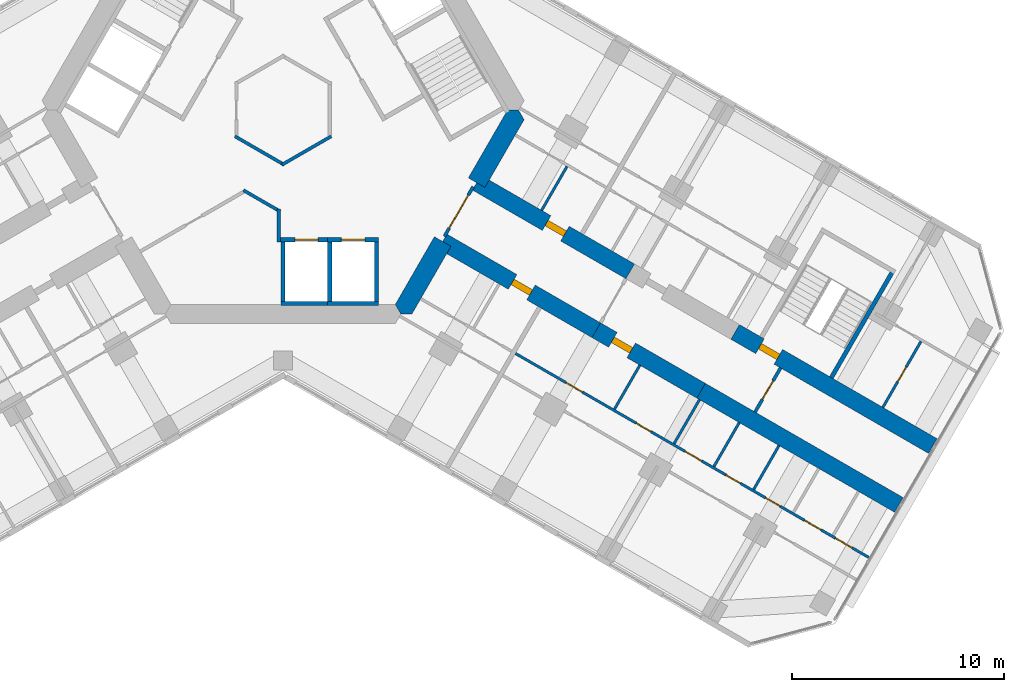
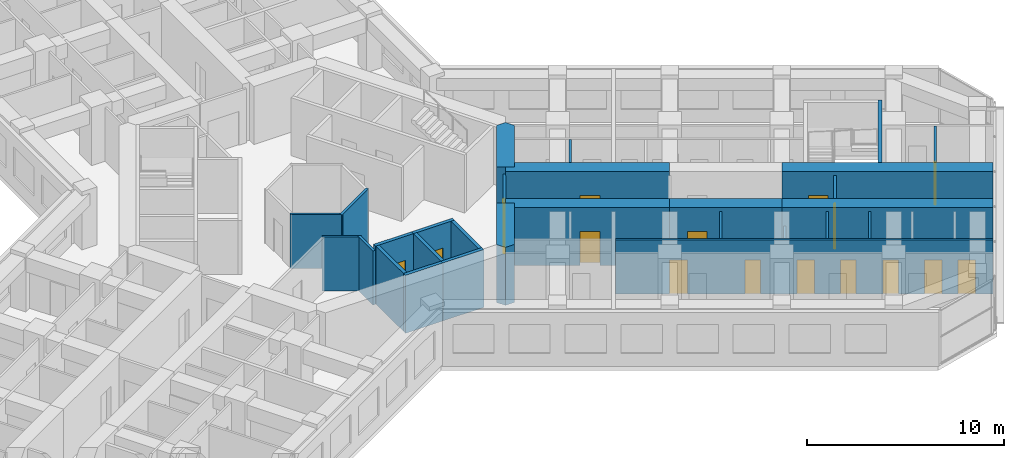
# One storey, part 14 of 19: 28 walls, 16 doors, 16 openings.
"""IFC4 building model written with IfcOpenShell, lengths in metres."""

from ifc_helpers import new_model, si_unit, direction, frame, frame_2d, origin, place, context, subcontext, project, spatial, polyline, rectangle, outline, extrude, material, layer, layer_set, type_object, element, fill, save


model = new_model("IFC4")

# Units and contexts
model_context = context("Model", 3, precision=1e-05, world=origin(), true_north=direction((0.0, 1.0)))
body_context = subcontext(model_context, "Body", "Model", "MODEL_VIEW")
ifc_project = project(units=[si_unit("LENGTHUNIT", "METRE"), si_unit("AREAUNIT", "SQUARE_METRE"), si_unit("VOLUMEUNIT", "CUBIC_METRE"), si_unit("PLANEANGLEUNIT", "RADIAN"), si_unit("MASSUNIT", "GRAM", prefix="KILO")], contexts=[model_context])

# Site, building, storey
site_placement = place(None, origin())
site = spatial("IfcSite", under=ifc_project, at=site_placement, CompositionType="ELEMENT")
building_placement = place(site_placement, origin())
building = spatial("IfcBuilding", under=site, at=building_placement, Name="Kosmar Iwan School Tower", CompositionType="ELEMENT")
storey_placement = place(building_placement, frame((0.0, 0.0, 145.39990234375)))
storey = spatial("IfcBuildingStorey", under=building, at=storey_placement, Name="L36", CompositionType="ELEMENT", Elevation=145.39990234375)

# Walls
ifc_material_1 = material(Name="Gypsum board on steel studs, fire-rated", Category="steel")
ifc_layer_1 = layer(ifc_material_1, 0.14990234375)
ifc_layer_set_1 = layer_set([ifc_layer_1], Name="Core room partition 150")
wall_type_1 = type_object("IfcWallType", Name="Core room partition 150", PredefinedType="PARTITIONING", material=ifc_layer_set_1)
wall_1_placement = place(storey_placement, frame((-1.864990234375, -3.77294921875, 0.0), z_axis=(0.0, 0.0, 1.0), x_axis=(0.866030907973, -0.499990466345, 0.0)))
element("IfcWall", 1, at=wall_1_placement, inside=storey, type_object=wall_type_1, Name="Core room partition L36-CW6", PredefinedType="PARTITIONING", context=body_context, shape_type="SweptSolid", body=[
    extrude(rectangle(XDim=1.99755859375, YDim=0.14990234375, at=frame_2d((0.998779296875, 0.0))), origin(), (0.0, 0.0, 1.0), 3.35009765625),
])
wall_2_placement = place(storey_placement, frame((-0.199951171875, -4.6591796875, 0.0), z_axis=(0.0, 0.0, 1.0), x_axis=(0.0, -1.0, 0.0)))
element("IfcWall", 2, at=wall_2_placement, inside=storey, type_object=wall_type_1, Name="Core room partition L36-CW7", PredefinedType="PARTITIONING", context=body_context, shape_type="SweptSolid", body=[
    extrude(rectangle(XDim=1.540771484375, YDim=0.14990234375, at=frame_2d((0.7705078125, 0.0))), origin(), (0.0, 0.0, 1.0), 3.35009765625),
])
for number, where, z_axis, x_axis, name in (
    (3, (2.264892578125, -1.232666015625, 0.0), (0.0, 0.0, 1.0), (-0.866011792348, -0.500023574959, 0.0), "Core room partition L36-CW8"),
    (4, (0.06494140625, -2.577880859375, 0.0), (0.0, 0.0, 1.0), (-0.866011792348, 0.500023574959, 0.0), "Core room partition L36-CW9"),
):
    element("IfcWall", number, at=place(storey_placement, frame(where, z_axis=z_axis, x_axis=x_axis)), inside=storey, type_object=wall_type_1, Name=name, PredefinedType="PARTITIONING", context=body_context, shape_type="SweptSolid", body=[
        extrude(rectangle(XDim=2.690185546875, YDim=0.14990234375, at=frame_2d((1.34521484375, 0.0))), origin(), (0.0, 0.0, 1.0), 3.35009765625),
    ])
ifc_material_2 = material(Name="Concrete C50/60", Category="concrete")
ifc_layer_2 = layer(ifc_material_2, 0.89990234375)
ifc_layer_set_2 = layer_set([ifc_layer_2], Name="Core wall 900")
wall_type_2 = type_object("IfcWallType", Name="Core wall 900", PredefinedType="SHEAR", material=ifc_layer_set_2)
wall_3_placement = place(storey_placement, origin())
element("IfcWall", 5, at=wall_3_placement, inside=storey, type_object=wall_type_2, Name="Core wall F330a", PredefinedType="SHEAR", context=body_context, shape_type="SweptSolid", body=[
    extrude(outline(polyline([(5.54248046875, -9.60009765625), (6.062255859375, -9.60009765625), (7.903564453125, -6.41064453125), (7.1240234375, -5.960693359375), (5.28271484375, -9.14990234375), (5.54248046875, -9.60009765625)])), origin(), (0.0, 0.0, 1.0), 3.60009765625),
])
wall_4_placement = place(storey_placement, origin())
element("IfcWall", 6, at=wall_4_placement, inside=storey, type_object=wall_type_2, Name="Core wall F330b", PredefinedType="SHEAR", context=body_context, shape_type="SweptSolid", body=[
    extrude(outline(polyline([(9.503662109375, -3.639404296875), (11.344970703125, -0.449951171875), (11.085205078125, 0.0), (10.5654296875, 0.0), (8.72412109375, -3.189453125), (9.503662109375, -3.639404296875)])), origin(), (0.0, 0.0, 1.0), 3.60009765625),
])

# Wall, opening, door
ifc_material_3 = material(Name="Concrete C50/60", Category="concrete")
ifc_layer_3 = layer(ifc_material_3, 0.800048828125)
ifc_layer_set_3 = layer_set([ifc_layer_3], Name="Corridor buttress wall 800")
wall_type_3 = type_object("IfcWallType", Name="Corridor buttress wall 800", PredefinedType="SHEAR", material=ifc_layer_set_3)
wall_5_placement = place(storey_placement, frame((9.11376953125, -3.414306640625, 0.0), z_axis=(0.0, 0.0, 1.0), x_axis=(0.866026859388, -0.499997478812, 0.0)))
wall_5 = element("IfcWall", 7, at=wall_5_placement, inside=storey, type_object=wall_type_3, Name="Corridor wall CL", PredefinedType="SHEAR", context=body_context, shape_type="SweptSolid", body=[
    extrude(rectangle(XDim=8.35009765625, YDim=0.800048828125, at=frame_2d((4.175048828125, 0.0))), origin(), (0.0, 0.0, 1.0), 3.60009765625),
])
opening_1_placement = place(wall_5_placement, frame((3.800048828125, 0.0, 0.0)))
opening_1 = element("IfcOpeningElement", 8, at=opening_1_placement, cuts=wall_5, Name="Opening D1", PredefinedType="OPENING", context=body_context, shape_type="SweptSolid", body=[
    extrude(rectangle(XDim=1.0, YDim=2.10009765625, at=frame_2d((0.5, 1.050048828125))), frame((0.0, 0.412109375, 0.0), z_axis=(0.0, -1.0, 0.0), x_axis=(1.0, 0.0, 0.0)), (0.0, 0.0, 1.0), 0.823974609375),
])
ifc_material_4 = material(Name="Timber fire door in steel frame", Category="steel")
door_type_1 = type_object("IfcDoorType", Name="Flat entrance door 1000x2100", OperationType="SINGLE_SWING_LEFT", PredefinedType="DOOR", material=ifc_material_4)
door_1_placement = place(opening_1_placement, origin())
door_1 = element("IfcDoor", 9, at=door_1_placement, inside=storey, type_object=door_type_1, Name="Flat L36-CL1 entrance door", OperationType="SINGLE_SWING_LEFT", OverallHeight=2.10009765625, OverallWidth=1.0, PredefinedType="DOOR", context=body_context, shape_type="SweptSolid", body=[
    extrude(rectangle(XDim=1.0, YDim=2.10009765625, at=frame_2d((0.5, 1.050048828125))), frame((0.0, 0.14990234375, 0.0), z_axis=(0.0, -1.0, 0.0), x_axis=(1.0, 0.0, 0.0)), (0.0, 0.0, 1.0), 0.300048828125),
])
fill(opening_1, door_1)

wall_6_placement = place(storey_placement, frame((21.281494140625, -10.439453125, 0.0), z_axis=(0.0, 0.0, 1.0), x_axis=(0.866032345022, -0.499987977232, 0.0)))
wall_6 = element("IfcWall", 10, at=wall_6_placement, inside=storey, type_object=wall_type_3, Name="Corridor wall CL bay 3", PredefinedType="SHEAR", context=body_context, shape_type="SweptSolid", body=[
    extrude(rectangle(XDim=10.744873046875, YDim=0.800048828125, at=frame_2d((5.37255859375, 0.0))), origin(), (0.0, 0.0, 1.0), 3.60009765625),
])
opening_2_placement = place(wall_6_placement, frame((1.35009765625, 0.0, 0.0)))
opening_2 = element("IfcOpeningElement", 11, at=opening_2_placement, cuts=wall_6, Name="Opening D6", PredefinedType="OPENING", context=body_context, shape_type="SweptSolid", body=[
    extrude(rectangle(XDim=1.0, YDim=2.10009765625, at=frame_2d((0.5, 1.050048828125))), frame((0.0, 0.412109375, 0.0), z_axis=(0.0, -1.0, 0.0), x_axis=(1.0, 0.0, 0.0)), (0.0, 0.0, 1.0), 0.823974609375),
])
ifc_material_5 = material(Name="Steel fire door", Category="steel")
door_type_2 = type_object("IfcDoorType", Name="Stair door 1000x2100", OperationType="SINGLE_SWING_LEFT", PredefinedType="DOOR", material=ifc_material_5)
door_2_placement = place(opening_2_placement, origin())
door_2 = element("IfcDoor", 12, at=door_2_placement, inside=storey, type_object=door_type_2, Name="Stair WS3 door L36", OperationType="SINGLE_SWING_LEFT", OverallHeight=2.10009765625, OverallWidth=1.0, PredefinedType="DOOR", context=body_context, shape_type="SweptSolid", body=[
    extrude(rectangle(XDim=1.0, YDim=2.10009765625, at=frame_2d((0.5, 1.050048828125))), frame((0.0, 0.14990234375, 0.0), z_axis=(0.0, -1.0, 0.0), x_axis=(1.0, 0.0, 0.0)), (0.0, 0.0, 1.0), 0.300048828125),
])
fill(opening_2, door_2)

wall_7_placement = place(storey_placement, frame((7.513916015625, -6.185546875, 0.0), z_axis=(0.0, 0.0, 1.0), x_axis=(0.866019549707, -0.500010139422, 0.0)))
wall_7 = element("IfcWall", 13, at=wall_7_placement, inside=storey, type_object=wall_type_3, Name="Corridor wall CR", PredefinedType="SHEAR", context=body_context, shape_type="SweptSolid", body=[
    extrude(rectangle(XDim=8.349853515625, YDim=0.800048828125, at=frame_2d((4.1748046875, 0.0))), origin(), (0.0, 0.0, 1.0), 3.60009765625),
])
opening_3_placement = place(wall_7_placement, frame((3.800048828125, 0.0, 0.0)))
opening_3 = element("IfcOpeningElement", 14, at=opening_3_placement, cuts=wall_7, Name="Opening D1", PredefinedType="OPENING", context=body_context, shape_type="SweptSolid", body=[
    extrude(rectangle(XDim=1.0, YDim=2.10009765625, at=frame_2d((0.5, 1.050048828125))), frame((0.0, 0.412109375, 0.0), z_axis=(0.0, -1.0, 0.0), x_axis=(1.0, 0.0, 0.0)), (0.0, 0.0, 1.0), 0.823974609375),
])
door_3_placement = place(opening_3_placement, origin())
door_3 = element("IfcDoor", 15, at=door_3_placement, inside=storey, type_object=door_type_1, Name="Flat L36-CR1 entrance door", OperationType="SINGLE_SWING_RIGHT", OverallHeight=2.10009765625, OverallWidth=1.0, PredefinedType="DOOR", context=body_context, shape_type="SweptSolid", body=[
    extrude(rectangle(XDim=1.0, YDim=2.10009765625, at=frame_2d((0.5, 1.050048828125))), frame((0.0, 0.14990234375, 0.0), z_axis=(0.0, -1.0, 0.0), x_axis=(1.0, 0.0, 0.0)), (0.0, 0.0, 1.0), 0.300048828125),
])
fill(opening_3, door_3)

wall_8_placement = place(storey_placement, frame((14.7451171875, -10.360595703125, 0.0), z_axis=(0.0, 0.0, 1.0), x_axis=(0.866015111908, -0.50001782563, 0.0)))
wall_8 = element("IfcWall", 16, at=wall_8_placement, inside=storey, type_object=wall_type_3, Name="Corridor wall CR bay 2", PredefinedType="SHEAR", context=body_context, shape_type="SweptSolid", body=[
    extrude(rectangle(XDim=5.699951171875, YDim=0.800048828125, at=frame_2d((2.85009765625, 0.0))), origin(), (0.0, 0.0, 1.0), 3.60009765625),
])
opening_4_placement = place(wall_8_placement, frame((0.89990234375, 0.0, 0.0)))
opening_4 = element("IfcOpeningElement", 17, at=opening_4_placement, cuts=wall_8, Name="Opening D1", PredefinedType="OPENING", context=body_context, shape_type="SweptSolid", body=[
    extrude(rectangle(XDim=1.0, YDim=2.10009765625, at=frame_2d((0.5, 1.050048828125))), frame((0.0, 0.412109375, 0.0), z_axis=(0.0, -1.0, 0.0), x_axis=(1.0, 0.0, 0.0)), (0.0, 0.0, 1.0), 0.823974609375),
])
door_4_placement = place(opening_4_placement, origin())
door_4 = element("IfcDoor", 18, at=door_4_placement, inside=storey, type_object=door_type_1, Name="Flat L36-CR2 entrance door", OperationType="SINGLE_SWING_LEFT", OverallHeight=2.10009765625, OverallWidth=1.0, PredefinedType="DOOR", context=body_context, shape_type="SweptSolid", body=[
    extrude(rectangle(XDim=1.0, YDim=2.10009765625, at=frame_2d((0.5, 1.050048828125))), frame((0.0, 0.14990234375, 0.0), z_axis=(0.0, -1.0, 0.0), x_axis=(1.0, 0.0, 0.0)), (0.0, 0.0, 1.0), 0.300048828125),
])
fill(opening_4, door_4)

# Wall
wall_9_placement = place(storey_placement, frame((19.681396484375, -13.210693359375, 0.0), z_axis=(0.0, 0.0, 1.0), x_axis=(0.866028186671, -0.499995179869, 0.0)))
element("IfcWall", 19, at=wall_9_placement, inside=storey, type_object=wall_type_3, Name="Corridor wall CR bay 3", PredefinedType="SHEAR", context=body_context, shape_type="SweptSolid", body=[
    extrude(rectangle(XDim=10.7451171875, YDim=0.800048828125, at=frame_2d((5.37255859375, 0.0))), origin(), (0.0, 0.0, 1.0), 3.60009765625),
])

# Wall, opening, door
ifc_material_6 = material(Name="Gypsum board on steel studs, fire-rated", Category="steel")
ifc_layer_4 = layer(ifc_material_6, 0.14990234375)
ifc_layer_set_4 = layer_set([ifc_layer_4], Name="Corridor end wall 150")
wall_type_4 = type_object("IfcWallType", Name="Corridor end wall 150", PredefinedType="PARTITIONING", material=ifc_layer_set_4)
wall_10_placement = place(storey_placement, frame((22.2197265625, -14.21435546875, 0.0), z_axis=(0.0, 0.0, 1.0), x_axis=(0.499957262057, 0.866050077142, 0.0)))
wall_10 = element("IfcWall", 20, at=wall_10_placement, inside=storey, type_object=wall_type_4, Name="Partition L36-C-CE", PredefinedType="PARTITIONING", context=body_context, shape_type="SweptSolid", body=[
    extrude(rectangle(XDim=2.400146484375, YDim=0.14990234375, at=frame_2d((1.2001953125, 0.0))), origin(), (0.0, 0.0, 1.0), 3.35009765625),
])
opening_5_placement = place(wall_10_placement, frame((0.699951171875, 0.0, 0.0)))
opening_5 = element("IfcOpeningElement", 21, at=opening_5_placement, cuts=wall_10, Name="Opening D13", PredefinedType="OPENING", context=body_context, shape_type="SweptSolid", body=[
    extrude(rectangle(XDim=1.0, YDim=2.10009765625, at=frame_2d((0.5, 1.050048828125))), frame((0.0, 0.0869140625, 0.0), z_axis=(0.0, -1.0, 0.0), x_axis=(1.0, 0.0, 0.0)), (0.0, 0.0, 1.0), 0.173828125),
])
ifc_material_7 = material(Name="Timber fire door with vision panel", Category="wood")
door_type_3 = type_object("IfcDoorType", Name="Corridor end door 1000x2100", OperationType="SINGLE_SWING_LEFT", PredefinedType="DOOR", material=ifc_material_7)
door_5_placement = place(opening_5_placement, origin())
door_5 = element("IfcDoor", 22, at=door_5_placement, inside=storey, type_object=door_type_3, Name="Family study room door L36-C", OperationType="SINGLE_SWING_LEFT", OverallHeight=2.10009765625, OverallWidth=1.0, PredefinedType="DOOR", context=body_context, shape_type="SweptSolid", body=[
    extrude(rectangle(XDim=1.0, YDim=2.10009765625, at=frame_2d((0.5, 1.050048828125))), frame((0.0, 0.02490234375, 0.0), z_axis=(0.0, -1.0, 0.0), x_axis=(1.0, 0.0, 0.0)), (0.0, 0.0, 1.0), 0.050048828125),
])
fill(opening_5, door_5)

ifc_material_8 = material(Name="Steel framed glazed screen", Category="steel")
ifc_layer_5 = layer(ifc_material_8, 0.14990234375)
ifc_layer_set_5 = layer_set([ifc_layer_5], Name="Corridor screen wall 150")
wall_type_5 = type_object("IfcWallType", Name="Corridor screen wall 150", PredefinedType="PARTITIONING", material=ifc_layer_set_5)
wall_11_placement = place(storey_placement, frame((7.595458984375, -5.944091796875, 0.0), z_axis=(0.0, 0.0, 1.0), x_axis=(0.500048589285, 0.86599734893, 0.0)))
wall_11 = element("IfcWall", 23, at=wall_11_placement, inside=storey, type_object=wall_type_5, Name="Corridor screen C L36", PredefinedType="PARTITIONING", context=body_context, shape_type="SweptSolid", body=[
    extrude(rectangle(XDim=2.699951171875, YDim=0.14990234375, at=frame_2d((1.35009765625, 0.0))), origin(), (0.0, 0.0, 1.0), 3.35009765625),
])
opening_6_placement = place(wall_11_placement, frame((0.449951171875, 0.0, 0.0)))
opening_6 = element("IfcOpeningElement", 24, at=opening_6_placement, cuts=wall_11, Name="Opening D9", PredefinedType="OPENING", context=body_context, shape_type="SweptSolid", body=[
    extrude(rectangle(XDim=1.800048828125, YDim=2.10009765625, at=frame_2d((0.89990234375, 1.050048828125))), frame((0.0, 0.0869140625, 0.0), z_axis=(0.0, -1.0, 0.0), x_axis=(1.0, 0.0, 0.0)), (0.0, 0.0, 1.0), 0.173828125),
])
ifc_material_9 = material(Name="Steel framed glazed smoke door", Category="steel")
door_type_4 = type_object("IfcDoorType", Name="Corridor smoke door pair 1800x2100", OperationType="DOUBLE_DOOR_DOUBLE_SWING", PredefinedType="DOOR", material=ifc_material_9)
door_6_placement = place(opening_6_placement, origin())
door_6 = element("IfcDoor", 25, at=door_6_placement, inside=storey, type_object=door_type_4, Name="Corridor doors C L36", OperationType="DOUBLE_DOOR_DOUBLE_SWING", OverallHeight=2.10009765625, OverallWidth=1.800048828125, PredefinedType="DOOR", context=body_context, shape_type="SweptSolid", body=[
    extrude(rectangle(XDim=1.800048828125, YDim=2.10009765625, at=frame_2d((0.89990234375, 1.050048828125))), frame((0.0, 0.02490234375, 0.0), z_axis=(0.0, -1.0, 0.0), x_axis=(1.0, 0.0, 0.0)), (0.0, 0.0, 1.0), 0.050048828125),
])
fill(opening_6, door_6)

# Wall
ifc_material_10 = material(Name="Gypsum board on steel studs", Category="steel")
ifc_layer_6 = layer(ifc_material_10, 0.1201171875)
ifc_layer_set_6 = layer_set([ifc_layer_6], Name="Dwelling partition 120")
wall_type_6 = type_object("IfcWallType", Name="Dwelling partition 120", PredefinedType="PARTITIONING", material=ifc_layer_set_6)
wall_12_placement = place(storey_placement, frame((12.171630859375, -4.718017578125, 0.0), z_axis=(0.0, 0.0, 1.0), x_axis=(0.500017192868, 0.86601547725, 0.0)))
element("IfcWall", 26, at=wall_12_placement, inside=storey, type_object=wall_type_6, Name="Partition L36-CL1-Y1", PredefinedType="PARTITIONING", context=body_context, shape_type="SweptSolid", body=[
    extrude(rectangle(XDim=2.39013671875, YDim=0.1201171875, at=frame_2d((1.195068359375, 0.0))), origin(), (0.0, 0.0, 1.0), 3.35009765625),
])

# Wall, opening, door
wall_13_placement = place(storey_placement, frame((28.236572265625, -13.992919921875, 0.0), z_axis=(0.0, 0.0, 1.0), x_axis=(0.499971658126, 0.866041766355, 0.0)))
wall_13 = element("IfcWall", 27, at=wall_13_placement, inside=storey, type_object=wall_type_6, Name="Partition L36-CL2-TY", PredefinedType="PARTITIONING", context=body_context, shape_type="SweptSolid", body=[
    extrude(rectangle(XDim=3.590087890625, YDim=0.1201171875, at=frame_2d((1.794921875, 0.0))), origin(), (0.0, 0.0, 1.0), 3.35009765625),
])
opening_7_placement = place(wall_13_placement, frame((1.39501953125, 0.0, 0.0)))
opening_7 = element("IfcOpeningElement", 28, at=opening_7_placement, cuts=wall_13, Name="Opening D3", PredefinedType="OPENING", context=body_context, shape_type="SweptSolid", body=[
    extrude(rectangle(XDim=0.800048828125, YDim=2.10009765625, at=frame_2d((0.39990234375, 1.050048828125))), frame((0.0, 0.072021484375, 0.0), z_axis=(0.0, -1.0, 0.0), x_axis=(1.0, 0.0, 0.0)), (0.0, 0.0, 1.0), 0.14404296875),
])
ifc_material_11 = material(Name="Timber door in timber frame", Category="wood")
door_type_5 = type_object("IfcDoorType", Name="Sanitary room door 800x2100", OperationType="SINGLE_SWING_LEFT", PredefinedType="DOOR", material=ifc_material_11)
door_7_placement = place(opening_7_placement, origin())
door_7 = element("IfcDoor", 29, at=door_7_placement, inside=storey, type_object=door_type_5, Name="Shower room door L36-CL2-T4", OperationType="SINGLE_SWING_LEFT", OverallHeight=2.10009765625, OverallWidth=0.800048828125, PredefinedType="DOOR", context=body_context, shape_type="SweptSolid", body=[
    extrude(rectangle(XDim=0.800048828125, YDim=2.10009765625, at=frame_2d((0.39990234375, 1.050048828125))), frame((0.0, 0.02490234375, 0.0), z_axis=(0.0, -1.0, 0.0), x_axis=(1.0, 0.0, 0.0)), (0.0, 0.0, 1.0), 0.050048828125),
])
fill(opening_7, door_7)

# Wall, openings, doors
wall_14_placement = place(storey_placement, frame((10.9384765625, -11.453857421875, 0.0), z_axis=(0.0, 0.0, 1.0), x_axis=(0.866029698618, -0.499992561057, 0.0)))
wall_14 = element("IfcWall", 30, at=wall_14_placement, inside=storey, type_object=wall_type_6, Name="Partition L36-CR2-W1", PredefinedType="PARTITIONING", context=body_context, shape_type="SweptSolid", body=[
    extrude(rectangle(XDim=19.195068359375, YDim=0.1201171875, at=frame_2d((9.59765625, 0.0))), origin(), (0.0, 0.0, 1.0), 3.35009765625),
])
opening_8_placement = place(wall_14_placement, frame((2.75, 0.0, 0.0)))
opening_8 = element("IfcOpeningElement", 31, at=opening_8_placement, cuts=wall_14, Name="Opening D2", PredefinedType="OPENING", context=body_context, shape_type="SweptSolid", body=[
    extrude(rectangle(XDim=0.89990234375, YDim=2.10009765625, at=frame_2d((0.449951171875, 1.050048828125))), frame((0.0, 0.072021484375, 0.0), z_axis=(0.0, -1.0, 0.0), x_axis=(1.0, 0.0, 0.0)), (0.0, 0.0, 1.0), 0.14404296875),
])
opening_9_placement = place(wall_14_placement, frame((6.571044921875, 0.0, 0.0)))
opening_9 = element("IfcOpeningElement", 32, at=opening_9_placement, cuts=wall_14, Name="Opening D3", PredefinedType="OPENING", context=body_context, shape_type="SweptSolid", body=[
    extrude(rectangle(XDim=0.800048828125, YDim=2.10009765625, at=frame_2d((0.39990234375, 1.050048828125))), frame((0.0, 0.072021484375, 0.0), z_axis=(0.0, -1.0, 0.0), x_axis=(1.0, 0.0, 0.0)), (0.0, 0.0, 1.0), 0.14404296875),
])
opening_10_placement = place(wall_14_placement, frame((9.22314453125, 0.0, 0.0)))
opening_10 = element("IfcOpeningElement", 33, at=opening_10_placement, cuts=wall_14, Name="Opening D2", PredefinedType="OPENING", context=body_context, shape_type="SweptSolid", body=[
    extrude(rectangle(XDim=0.89990234375, YDim=2.10009765625, at=frame_2d((0.449951171875, 1.050048828125))), frame((0.0, 0.072021484375, 0.0), z_axis=(0.0, -1.0, 0.0), x_axis=(1.0, 0.0, 0.0)), (0.0, 0.0, 1.0), 0.14404296875),
])
opening_11_placement = place(wall_14_placement, frame((11.4345703125, 0.0, 0.0)))
opening_11 = element("IfcOpeningElement", 34, at=opening_11_placement, cuts=wall_14, Name="Opening D3", PredefinedType="OPENING", context=body_context, shape_type="SweptSolid", body=[
    extrude(rectangle(XDim=0.800048828125, YDim=2.10009765625, at=frame_2d((0.39990234375, 1.050048828125))), frame((0.0, 0.072021484375, 0.0), z_axis=(0.0, -1.0, 0.0), x_axis=(1.0, 0.0, 0.0)), (0.0, 0.0, 1.0), 0.14404296875),
])
opening_12_placement = place(wall_14_placement, frame((13.59619140625, 0.0, 0.0)))
opening_12 = element("IfcOpeningElement", 35, at=opening_12_placement, cuts=wall_14, Name="Opening D3", PredefinedType="OPENING", context=body_context, shape_type="SweptSolid", body=[
    extrude(rectangle(XDim=0.800048828125, YDim=2.10009765625, at=frame_2d((0.39990234375, 1.050048828125))), frame((0.0, 0.072021484375, 0.0), z_axis=(0.0, -1.0, 0.0), x_axis=(1.0, 0.0, 0.0)), (0.0, 0.0, 1.0), 0.14404296875),
])
opening_13_placement = place(wall_14_placement, frame((15.707763671875, 0.0, 0.0)))
opening_13 = element("IfcOpeningElement", 36, at=opening_13_placement, cuts=wall_14, Name="Opening D2", PredefinedType="OPENING", context=body_context, shape_type="SweptSolid", body=[
    extrude(rectangle(XDim=0.89990234375, YDim=2.10009765625, at=frame_2d((0.449951171875, 1.050048828125))), frame((0.0, 0.072021484375, 0.0), z_axis=(0.0, -1.0, 0.0), x_axis=(1.0, 0.0, 0.0)), (0.0, 0.0, 1.0), 0.14404296875),
])
opening_14_placement = place(wall_14_placement, frame((17.3984375, 0.0, 0.0)))
opening_14 = element("IfcOpeningElement", 37, at=opening_14_placement, cuts=wall_14, Name="Opening D2", PredefinedType="OPENING", context=body_context, shape_type="SweptSolid", body=[
    extrude(rectangle(XDim=0.89990234375, YDim=2.10009765625, at=frame_2d((0.449951171875, 1.050048828125))), frame((0.0, 0.072021484375, 0.0), z_axis=(0.0, -1.0, 0.0), x_axis=(1.0, 0.0, 0.0)), (0.0, 0.0, 1.0), 0.14404296875),
])
ifc_material_12 = material(Name="Timber door in timber frame", Category="wood")
door_type_6 = type_object("IfcDoorType", Name="Internal door 900x2100", OperationType="SINGLE_SWING_LEFT", PredefinedType="DOOR", material=ifc_material_12)
door_8_placement = place(opening_8_placement, origin())
door_8 = element("IfcDoor", 38, at=door_8_placement, inside=storey, type_object=door_type_6, Name="Entrance hall door L36-CR2-S1", OperationType="SINGLE_SWING_RIGHT", OverallHeight=2.10009765625, OverallWidth=0.89990234375, PredefinedType="DOOR", context=body_context, shape_type="SweptSolid", body=[
    extrude(rectangle(XDim=0.89990234375, YDim=2.10009765625, at=frame_2d((0.449951171875, 1.050048828125))), frame((0.0, 0.02490234375, 0.0), z_axis=(0.0, -1.0, 0.0), x_axis=(1.0, 0.0, 0.0)), (0.0, 0.0, 1.0), 0.050048828125),
])
fill(opening_8, door_8)
door_9_placement = place(opening_10_placement, origin())
door_9 = element("IfcDoor", 39, at=door_9_placement, inside=storey, type_object=door_type_6, Name="Pantry door L36-CR2-S3", OperationType="SINGLE_SWING_RIGHT", OverallHeight=2.10009765625, OverallWidth=0.89990234375, PredefinedType="DOOR", context=body_context, shape_type="SweptSolid", body=[
    extrude(rectangle(XDim=0.89990234375, YDim=2.10009765625, at=frame_2d((0.449951171875, 1.050048828125))), frame((0.0, 0.02490234375, 0.0), z_axis=(0.0, -1.0, 0.0), x_axis=(1.0, 0.0, 0.0)), (0.0, 0.0, 1.0), 0.050048828125),
])
fill(opening_10, door_9)
door_10_placement = place(opening_13_placement, origin())
door_10 = element("IfcDoor", 40, at=door_10_placement, inside=storey, type_object=door_type_6, Name="Utility room door L36-CR2-S6", OperationType="SINGLE_SWING_LEFT", OverallHeight=2.10009765625, OverallWidth=0.89990234375, PredefinedType="DOOR", context=body_context, shape_type="SweptSolid", body=[
    extrude(rectangle(XDim=0.89990234375, YDim=2.10009765625, at=frame_2d((0.449951171875, 1.050048828125))), frame((0.0, 0.02490234375, 0.0), z_axis=(0.0, -1.0, 0.0), x_axis=(1.0, 0.0, 0.0)), (0.0, 0.0, 1.0), 0.050048828125),
])
fill(opening_13, door_10)
door_11_placement = place(opening_14_placement, origin())
door_11 = element("IfcDoor", 41, at=door_11_placement, inside=storey, type_object=door_type_6, Name="Dressing room door L36-CR2-S7", OperationType="SINGLE_SWING_LEFT", OverallHeight=2.10009765625, OverallWidth=0.89990234375, PredefinedType="DOOR", context=body_context, shape_type="SweptSolid", body=[
    extrude(rectangle(XDim=0.89990234375, YDim=2.10009765625, at=frame_2d((0.449951171875, 1.050048828125))), frame((0.0, 0.02490234375, 0.0), z_axis=(0.0, -1.0, 0.0), x_axis=(1.0, 0.0, 0.0)), (0.0, 0.0, 1.0), 0.050048828125),
])
fill(opening_14, door_11)
door_12_placement = place(opening_9_placement, origin())
door_12 = element("IfcDoor", 42, at=door_12_placement, inside=storey, type_object=door_type_5, Name="Bathroom door L36-CR2-S2", OperationType="SINGLE_SWING_LEFT", OverallHeight=2.10009765625, OverallWidth=0.800048828125, PredefinedType="DOOR", context=body_context, shape_type="SweptSolid", body=[
    extrude(rectangle(XDim=0.800048828125, YDim=2.10009765625, at=frame_2d((0.39990234375, 1.050048828125))), frame((0.0, 0.02490234375, 0.0), z_axis=(0.0, -1.0, 0.0), x_axis=(1.0, 0.0, 0.0)), (0.0, 0.0, 1.0), 0.050048828125),
])
fill(opening_9, door_12)
door_13_placement = place(opening_11_placement, origin())
door_13 = element("IfcDoor", 43, at=door_13_placement, inside=storey, type_object=door_type_5, Name="WC door L36-CR2-S4", OperationType="SINGLE_SWING_LEFT", OverallHeight=2.10009765625, OverallWidth=0.800048828125, PredefinedType="DOOR", context=body_context, shape_type="SweptSolid", body=[
    extrude(rectangle(XDim=0.800048828125, YDim=2.10009765625, at=frame_2d((0.39990234375, 1.050048828125))), frame((0.0, 0.02490234375, 0.0), z_axis=(0.0, -1.0, 0.0), x_axis=(1.0, 0.0, 0.0)), (0.0, 0.0, 1.0), 0.050048828125),
])
fill(opening_11, door_13)
door_14_placement = place(opening_12_placement, origin())
door_14 = element("IfcDoor", 44, at=door_14_placement, inside=storey, type_object=door_type_5, Name="Store door L36-CR2-S5", OperationType="SINGLE_SWING_RIGHT", OverallHeight=2.10009765625, OverallWidth=0.800048828125, PredefinedType="DOOR", context=body_context, shape_type="SweptSolid", body=[
    extrude(rectangle(XDim=0.800048828125, YDim=2.10009765625, at=frame_2d((0.39990234375, 1.050048828125))), frame((0.0, 0.02490234375, 0.0), z_axis=(0.0, -1.0, 0.0), x_axis=(1.0, 0.0, 0.0)), (0.0, 0.0, 1.0), 0.050048828125),
])
fill(opening_12, door_14)

# Walls
wall_15_placement = place(storey_placement, frame((16.796875, -12.007080078125, 0.0), z_axis=(0.0, 0.0, 1.0), x_axis=(-0.500017192868, -0.86601547725, 0.0)))
element("IfcWall", 45, at=wall_15_placement, inside=storey, type_object=wall_type_6, Name="Partition L36-CR2-Y1", PredefinedType="PARTITIONING", context=body_context, shape_type="SweptSolid", body=[
    extrude(rectangle(XDim=2.39013671875, YDim=0.1201171875, at=frame_2d((1.195068359375, 0.0))), origin(), (0.0, 0.0, 1.0), 3.35009765625),
])
wall_16_placement = place(storey_placement, frame((19.604736328125, -13.628173828125, 0.0), z_axis=(0.0, 0.0, 1.0), x_axis=(-0.500017192868, -0.86601547725, 0.0)))
element("IfcWall", 46, at=wall_16_placement, inside=storey, type_object=wall_type_6, Name="Partition L36-CR2-Y2", PredefinedType="PARTITIONING", context=body_context, shape_type="SweptSolid", body=[
    extrude(rectangle(XDim=2.39013671875, YDim=0.1201171875, at=frame_2d((1.195068359375, 0.0))), origin(), (0.0, 0.0, 1.0), 2.4501953125),
])
for number, where, z_axis, x_axis, name in (
    (47, (21.476806640625, -14.708984375, 0.0), (0.0, 0.0, 1.0), (-0.500017192868, -0.86601547725, 0.0), "Partition L36-CR2-Y3"),
    (48, (23.3486328125, -15.789794921875, 0.0), (0.0, 0.0, 1.0), (-0.500017192868, -0.86601547725, 0.0), "Partition L36-CR2-Y4"),
):
    element("IfcWall", number, at=place(storey_placement, frame(where, z_axis=z_axis, x_axis=x_axis)), inside=storey, type_object=wall_type_6, Name=name, PredefinedType="PARTITIONING", context=body_context, shape_type="SweptSolid", body=[
        extrude(rectangle(XDim=2.39013671875, YDim=0.1201171875, at=frame_2d((1.195068359375, 0.0))), origin(), (0.0, 0.0, 1.0), 3.35009765625),
    ])
ifc_material_13 = material(Name="Concrete C35/45", Category="concrete")
ifc_layer_7 = layer(ifc_material_13, 0.199951171875)
ifc_layer_set_7 = layer_set([ifc_layer_7], Name="Escape stair wall 200")
wall_type_7 = type_object("IfcWallType", Name="Escape stair wall 200", PredefinedType="SHEAR", material=ifc_layer_set_7)
wall_17_placement = place(storey_placement, frame((25.8115234375, -12.593017578125, 0.0), z_axis=(0.0, 0.0, 1.0), x_axis=(0.500019744199, 0.866014004166, 0.0)))
element("IfcWall", 49, at=wall_17_placement, inside=storey, type_object=wall_type_7, Name="Stair WS3 wall", PredefinedType="SHEAR", context=body_context, shape_type="SweptSolid", body=[
    extrude(rectangle(XDim=5.900146484375, YDim=0.199951171875, at=frame_2d((2.9501953125, 0.0))), origin(), (0.0, 0.0, 1.0), 3.330078125),
])

# Wall, opening, door
ifc_material_14 = material(Name="Concrete C50/60", Category="concrete")
ifc_layer_8 = layer(ifc_material_14, 0.199951171875)
ifc_layer_set_8 = layer_set([ifc_layer_8], Name="Lift shaft wall 200")
wall_type_8 = type_object("IfcWallType", Name="Lift shaft wall 200", PredefinedType="SHEAR", material=ifc_layer_set_8)
wall_18_placement = place(storey_placement, frame((-0.125, -6.10009765625, 0.0), z_axis=(0.0, 0.0, 1.0), x_axis=(1.0, 0.0, 0.0)))
wall_18 = element("IfcWall", 50, at=wall_18_placement, inside=storey, type_object=wall_type_8, Name="Lift and stair front wall BC", PredefinedType="SHEAR", context=body_context, shape_type="SweptSolid", body=[
    extrude(rectangle(XDim=2.22509765625, YDim=0.199951171875, at=frame_2d((1.112548828125, 0.0))), origin(), (0.0, 0.0, 1.0), 3.60009765625),
])
opening_15_placement = place(wall_18_placement, frame((0.675048828125, 0.0, 0.0)))
opening_15 = element("IfcOpeningElement", 51, at=opening_15_placement, cuts=wall_18, Name="Opening LD1", PredefinedType="OPENING", context=body_context, shape_type="SweptSolid", body=[
    extrude(rectangle(XDim=1.10009765625, YDim=2.10009765625, at=frame_2d((0.550048828125, 1.050048828125))), frame((0.0, 0.112060546875, 0.0), z_axis=(0.0, -1.0, 0.0), x_axis=(1.0, 0.0, 0.0)), (0.0, 0.0, 1.0), 0.223876953125),
])
ifc_material_15 = material(Name="Stainless steel sliding lift door", Category="steel")
door_type_7 = type_object("IfcDoorType", Name="Lift landing door 1100x2100", OperationType="SLIDING_TO_LEFT", PredefinedType="DOOR", material=ifc_material_15)
door_15_placement = place(opening_15_placement, origin())
door_15 = element("IfcDoor", 52, at=door_15_placement, inside=storey, type_object=door_type_7, Name="Lift PL3 landing door L36", OperationType="SLIDING_TO_LEFT", OverallHeight=2.10009765625, OverallWidth=1.10009765625, PredefinedType="DOOR", context=body_context, shape_type="SweptSolid", body=[
    extrude(rectangle(XDim=1.10009765625, YDim=2.10009765625, at=frame_2d((0.550048828125, 1.050048828125))), frame((0.0, 0.02490234375, 0.0), z_axis=(0.0, -1.0, 0.0), x_axis=(1.0, 0.0, 0.0)), (0.0, 0.0, 1.0), 0.050048828125),
])
fill(opening_15, door_15)

# Wall
wall_19_placement = place(storey_placement, frame((-0.10009765625, -9.10009765625, 0.0), z_axis=(0.0, 0.0, 1.0), x_axis=(1.0, 0.0, 0.0)))
element("IfcWall", 53, at=wall_19_placement, inside=storey, type_object=wall_type_8, Name="Lift and stair back wall BC", PredefinedType="SHEAR", context=body_context, shape_type="SweptSolid", body=[
    extrude(rectangle(XDim=2.2001953125, YDim=0.199951171875, at=frame_2d((1.10009765625, 0.0))), origin(), (0.0, 0.0, 1.0), 3.60009765625),
])

# Wall, opening, door
wall_20_placement = place(storey_placement, frame((2.10009765625, -6.10009765625, 0.0), z_axis=(0.0, 0.0, 1.0), x_axis=(1.0, 0.0, 0.0)))
wall_20 = element("IfcWall", 54, at=wall_20_placement, inside=storey, type_object=wall_type_8, Name="Lift and stair front wall BC", PredefinedType="SHEAR", context=body_context, shape_type="SweptSolid", body=[
    extrude(rectangle(XDim=2.39990234375, YDim=0.199951171875, at=frame_2d((1.199951171875, 0.0))), origin(), (0.0, 0.0, 1.0), 3.60009765625),
])
opening_16_placement = place(wall_20_placement, frame((0.64990234375, 0.0, 0.0)))
opening_16 = element("IfcOpeningElement", 55, at=opening_16_placement, cuts=wall_20, Name="Opening LD1", PredefinedType="OPENING", context=body_context, shape_type="SweptSolid", body=[
    extrude(rectangle(XDim=1.10009765625, YDim=2.10009765625, at=frame_2d((0.550048828125, 1.050048828125))), frame((0.0, 0.112060546875, 0.0), z_axis=(0.0, -1.0, 0.0), x_axis=(1.0, 0.0, 0.0)), (0.0, 0.0, 1.0), 0.223876953125),
])
door_16_placement = place(opening_16_placement, origin())
door_16 = element("IfcDoor", 56, at=door_16_placement, inside=storey, type_object=door_type_7, Name="Lift PL4 landing door L36", OperationType="SLIDING_TO_LEFT", OverallHeight=2.10009765625, OverallWidth=1.10009765625, PredefinedType="DOOR", context=body_context, shape_type="SweptSolid", body=[
    extrude(rectangle(XDim=1.10009765625, YDim=2.10009765625, at=frame_2d((0.550048828125, 1.050048828125))), frame((0.0, 0.02490234375, 0.0), z_axis=(0.0, -1.0, 0.0), x_axis=(1.0, 0.0, 0.0)), (0.0, 0.0, 1.0), 0.050048828125),
])
fill(opening_16, door_16)

# Walls
wall_21_placement = place(storey_placement, frame((2.10009765625, -9.10009765625, 0.0), z_axis=(0.0, 0.0, 1.0), x_axis=(1.0, 0.0, 0.0)))
element("IfcWall", 57, at=wall_21_placement, inside=storey, type_object=wall_type_8, Name="Lift and stair back wall BC", PredefinedType="SHEAR", context=body_context, shape_type="SweptSolid", body=[
    extrude(rectangle(XDim=2.39990234375, YDim=0.199951171875, at=frame_2d((1.199951171875, 0.0))), origin(), (0.0, 0.0, 1.0), 3.60009765625),
])
for number, where, z_axis, x_axis, name in (
    (58, (0.0, -6.199951171875, 0.0), (0.0, 0.0, 1.0), (0.0, -1.0, 0.0), "Lift shaft wall BC 0"),
    (59, (2.199951171875, -6.199951171875, 0.0), (0.0, 0.0, 1.0), (0.0, -1.0, 0.0), "Lift shaft wall BC 1"),
    (60, (4.39990234375, -6.199951171875, 0.0), (0.0, 0.0, 1.0), (0.0, -1.0, 0.0), "Lift shaft wall BC 2"),
):
    element("IfcWall", number, at=place(storey_placement, frame(where, z_axis=z_axis, x_axis=x_axis)), inside=storey, type_object=wall_type_8, Name=name, PredefinedType="SHEAR", context=body_context, shape_type="SweptSolid", body=[
        extrude(rectangle(XDim=2.800048828125, YDim=0.199951171875, at=frame_2d((1.39990234375, 0.0))), origin(), (0.0, 0.0, 1.0), 3.60009765625),
    ])

save(model, "model.ifc")
